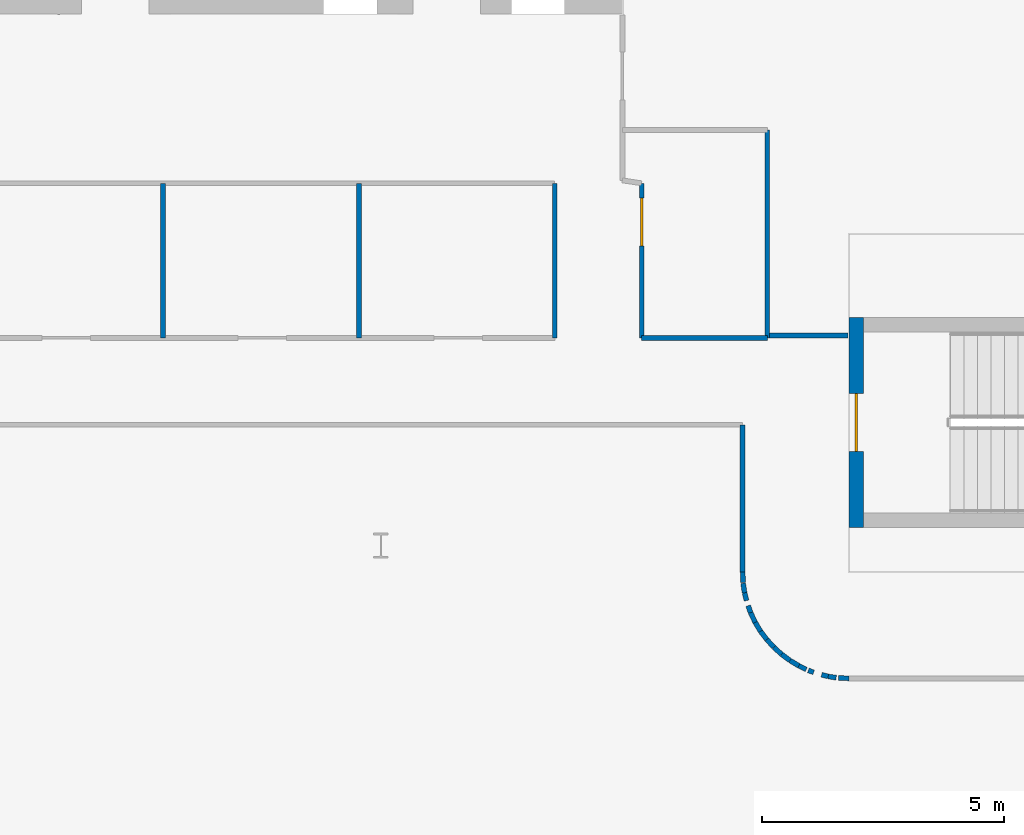
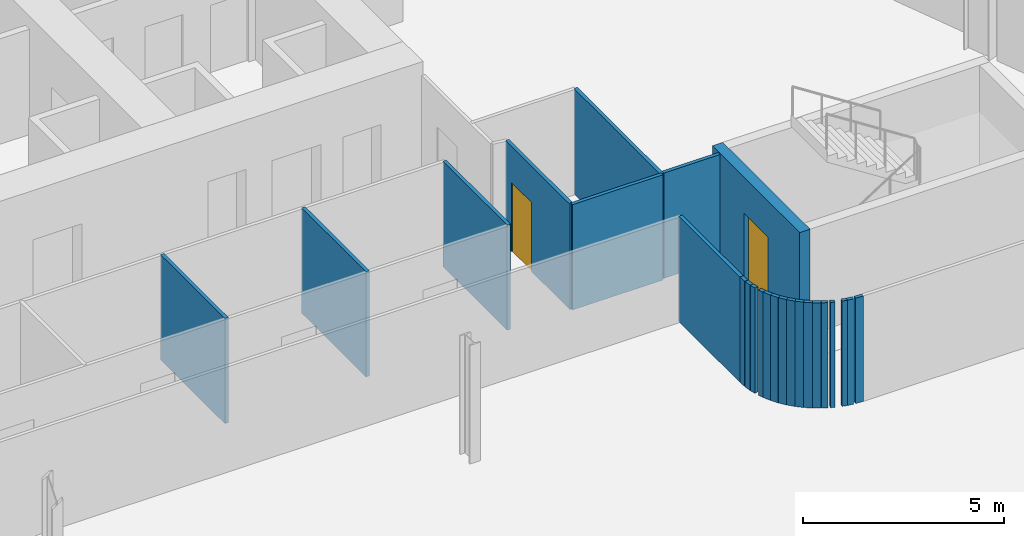
# One storey, part 19 of 31: 25 walls, 2 doors, 2 openings.
"""IFC4 building model written with IfcOpenShell, lengths in metres."""

from ifc_helpers import new_model, si_unit, direction, frame, frame_2d, origin, place, context, subcontext, project, spatial, rectangle, extrude, material, layer, layer_set, type_object, element, fill, save


model = new_model("IFC4")

# Units and contexts
model_context = context("Model", 3, precision=1e-05, world=origin(), true_north=direction((0.0, 1.0)))
body_context = subcontext(model_context, "Body", "Model", "MODEL_VIEW")
ifc_project = project(units=[si_unit("LENGTHUNIT", "METRE"), si_unit("AREAUNIT", "SQUARE_METRE"), si_unit("VOLUMEUNIT", "CUBIC_METRE"), si_unit("PLANEANGLEUNIT", "RADIAN"), si_unit("MASSUNIT", "GRAM", prefix="KILO")], contexts=[model_context])

# Site, building, storey
site_placement = place(None, origin())
site = spatial("IfcSite", under=ifc_project, at=site_placement, CompositionType="ELEMENT")
building_placement = place(site_placement, origin())
building = spatial("IfcBuilding", under=site, at=building_placement, Name="Wharfspan Tower", CompositionType="ELEMENT")
storey_placement = place(building_placement, frame((0.0, 0.0, 103.899902)))
storey = spatial("IfcBuildingStorey", under=building, at=storey_placement, Name="L23", CompositionType="ELEMENT", Elevation=103.899902)

# Walls
ifc_material_1 = material(Name="Gypsum board on steel studs", Category="steel")
ifc_layer_1 = layer(ifc_material_1, 0.100098)
ifc_layer_set_1 = layer_set([ifc_layer_1], Name="Gypsum board on steel studs")
wall_type_1 = type_object("IfcWallType", Name="Compartment wall 100 EI 60", PredefinedType="PARTITIONING", material=ifc_layer_set_1)
for number, where, z_axis, x_axis, name in (
    (1, (55.48999, 27.300049, 0.0), (0.0, 0.0, 1.0), (0.0, 1.0, 0.0), "Partition L23.w072"),
    (2, (59.544922, 27.300049, 0.0), (0.0, 0.0, 1.0), (0.0, 1.0, 0.0), "Partition L23.w074"),
    (3, (63.600098, 27.300049, 0.0), (0.0, 0.0, 1.0), (0.0, 1.0, 0.0), "Partition L23.w075"),
):
    element("IfcWall", number, at=place(storey_placement, frame(where, z_axis=z_axis, x_axis=x_axis)), inside=storey, type_object=wall_type_1, Name=name, PredefinedType="PARTITIONING", context=body_context, shape_type="SweptSolid", body=[
        extrude(rectangle(XDim=3.199951, YDim=0.100098, at=frame_2d((1.600098, 0.0))), origin(), (0.0, 0.0, 1.0), 3.200195),
    ])

# Wall, opening, door
wall_1_placement = place(storey_placement, frame((65.399902, 27.300049, 0.0), z_axis=(0.0, 0.0, 1.0), x_axis=(0.0, 1.0, 0.0)))
wall_1 = element("IfcWall", 4, at=wall_1_placement, inside=storey, type_object=wall_type_1, Name="Partition L23.w079", PredefinedType="PARTITIONING", context=body_context, shape_type="SweptSolid", body=[
    extrude(rectangle(XDim=3.199951, YDim=0.100098, at=frame_2d((1.600098, 0.0))), origin(), (0.0, 0.0, 1.0), 3.200195),
])
opening_1_placement = place(wall_1_placement, frame((1.899902, 0.0, 0.0)))
opening_1 = element("IfcOpeningElement", 5, at=opening_1_placement, cuts=wall_1, Name="Opening B2-19", PredefinedType="OPENING", context=body_context, shape_type="SweptSolid", body=[
    extrude(rectangle(XDim=1.0, YDim=2.100098, at=frame_2d((0.5, 1.050049))), frame((0.0, 0.060059, 0.0), z_axis=(0.0, -1.0, 0.0), x_axis=(1.0, 0.0, 0.0)), (0.0, 0.0, 1.0), 0.120117),
])
ifc_material_2 = material(Name="Fire-rated timber door leaf in steel frame", Category="steel")
door_type_1 = type_object("IfcDoorType", Name="Door 1000 FD30S Right", OperationType="SINGLE_SWING_RIGHT", PredefinedType="DOOR", material=ifc_material_2)
door_1_placement = place(opening_1_placement, origin())
door_1 = element("IfcDoor", 6, at=door_1_placement, inside=storey, type_object=door_type_1, Name="Door B2-19", OperationType="SINGLE_SWING_RIGHT", OverallHeight=2.100098, OverallWidth=1.0, PredefinedType="DOOR", context=body_context, shape_type="SweptSolid", body=[
    extrude(rectangle(XDim=1.0, YDim=2.100098, at=frame_2d((0.5, 1.050049))), frame((0.0, 0.024902, 0.0), z_axis=(0.0, -1.0, 0.0), x_axis=(1.0, 0.0, 0.0)), (0.0, 0.0, 1.0), 0.050049),
])
fill(opening_1, door_1)

# Walls
wall_2_placement = place(storey_placement, frame((65.399902, 27.300049, 0.0), z_axis=(0.0, 0.0, 1.0), x_axis=(1.0, 0.0, 0.0)))
element("IfcWall", 7, at=wall_2_placement, inside=storey, type_object=wall_type_1, Name="Partition L23.w080", PredefinedType="PARTITIONING", context=body_context, shape_type="SweptSolid", body=[
    extrude(rectangle(XDim=2.600098, YDim=0.100098, at=frame_2d((1.300049, 0.0))), origin(), (0.0, 0.0, 1.0), 3.200195),
])
wall_3_placement = place(storey_placement, frame((67.48999, 22.449951, 0.0), z_axis=(0.0, 0.0, 1.0), x_axis=(0.0, 1.0, 0.0)))
element("IfcWall", 8, at=wall_3_placement, inside=storey, type_object=wall_type_1, Name="Partition L23.w081", PredefinedType="PARTITIONING", context=body_context, shape_type="SweptSolid", body=[
    extrude(rectangle(XDim=3.050049, YDim=0.100098, at=frame_2d((1.524902, 0.0))), origin(), (0.0, 0.0, 1.0), 3.200195),
])
wall_4_placement = place(storey_placement, frame((67.5, 22.235107, 0.0), z_axis=(0.0, 0.0, 1.0), x_axis=(-0.04654, 0.998912, 0.0)))
element("IfcWall", 9, at=wall_4_placement, inside=storey, type_object=wall_type_1, Name="Partition L23.w082", PredefinedType="PARTITIONING", context=body_context, shape_type="SweptSolid", body=[
    extrude(rectangle(XDim=0.215088, YDim=0.100098, at=frame_2d((0.107422, 0.0))), origin(), (0.0, 0.0, 1.0), 3.200195),
])
wall_5_placement = place(storey_placement, frame((67.530029, 22.02002, 0.0), z_axis=(0.0, 0.0, 1.0), x_axis=(-0.148517, 0.988906, 0.0)))
element("IfcWall", 10, at=wall_5_placement, inside=storey, type_object=wall_type_1, Name="Partition L23.w083", PredefinedType="PARTITIONING", context=body_context, shape_type="SweptSolid", body=[
    extrude(rectangle(XDim=0.202148, YDim=0.100098, at=frame_2d((0.101074, 0.0))), origin(), (0.0, 0.0, 1.0), 3.200195),
])
wall_6_placement = place(storey_placement, frame((67.570068, 21.860107, 0.0), z_axis=(0.0, 0.0, 1.0), x_axis=(-0.242884, 0.970055, 0.0)))
element("IfcWall", 11, at=wall_6_placement, inside=storey, type_object=wall_type_1, Name="Partition L23.w084", PredefinedType="PARTITIONING", context=body_context, shape_type="SweptSolid", body=[
    extrude(rectangle(XDim=0.164795, YDim=0.100098, at=frame_2d((0.08252, 0.0))), origin(), (0.0, 0.0, 1.0), 3.200195),
])
wall_7_placement = place(storey_placement, frame((67.655029, 21.610107, 0.0), z_axis=(0.0, 0.0, 1.0), x_axis=(-0.326726, 0.945115, 0.0)))
element("IfcWall", 12, at=wall_7_placement, inside=storey, type_object=wall_type_1, Name="Partition L23.w085", PredefinedType="PARTITIONING", context=body_context, shape_type="SweptSolid", body=[
    extrude(rectangle(XDim=0.153076, YDim=0.100098, at=frame_2d((0.07666, 0.0))), origin(), (0.0, 0.0, 1.0), 3.200195),
])
wall_8_placement = place(storey_placement, frame((67.75, 21.409912, 0.0), z_axis=(0.0, 0.0, 1.0), x_axis=(-0.428606, 0.903488, 0.0)))
element("IfcWall", 13, at=wall_8_placement, inside=storey, type_object=wall_type_1, Name="Partition L23.w086", PredefinedType="PARTITIONING", context=body_context, shape_type="SweptSolid", body=[
    extrude(rectangle(XDim=0.22168, YDim=0.100098, at=frame_2d((0.11084, 0.0))), origin(), (0.0, 0.0, 1.0), 3.200195),
])
wall_9_placement = place(storey_placement, frame((67.860107, 21.225098, 0.0), z_axis=(0.0, 0.0, 1.0), x_axis=(-0.511823, 0.859091, 0.0)))
element("IfcWall", 14, at=wall_9_placement, inside=storey, type_object=wall_type_1, Name="Partition L23.w087", PredefinedType="PARTITIONING", context=body_context, shape_type="SweptSolid", body=[
    extrude(rectangle(XDim=0.215088, YDim=0.100098, at=frame_2d((0.107422, 0.0))), origin(), (0.0, 0.0, 1.0), 3.200195),
])
wall_10_placement = place(storey_placement, frame((67.98999, 21.054932, 0.0), z_axis=(0.0, 0.0, 1.0), x_axis=(-0.606728, 0.794905, 0.0)))
element("IfcWall", 15, at=wall_10_placement, inside=storey, type_object=wall_type_1, Name="Partition L23.w088", PredefinedType="PARTITIONING", context=body_context, shape_type="SweptSolid", body=[
    extrude(rectangle(XDim=0.214111, YDim=0.100098, at=frame_2d((0.106934, 0.0))), origin(), (0.0, 0.0, 1.0), 3.200195),
])
wall_11_placement = place(storey_placement, frame((68.0, 27.300049, 0.0), z_axis=(0.0, 0.0, 1.0), x_axis=(0.0, 1.0, 0.0)))
element("IfcWall", 16, at=wall_11_placement, inside=storey, type_object=wall_type_1, Name="Partition L23.w089", PredefinedType="PARTITIONING", context=body_context, shape_type="SweptSolid", body=[
    extrude(rectangle(XDim=4.300049, YDim=0.100098, at=frame_2d((2.149902, 0.0))), origin(), (0.0, 0.0, 1.0), 3.200195),
])
wall_12_placement = place(storey_placement, frame((68.050049, 27.350098, 0.0), z_axis=(0.0, 0.0, 1.0), x_axis=(1.0, 0.0, 0.0)))
element("IfcWall", 17, at=wall_12_placement, inside=storey, type_object=wall_type_1, Name="Partition L23.w091", PredefinedType="PARTITIONING", context=body_context, shape_type="SweptSolid", body=[
    extrude(rectangle(XDim=1.620361, YDim=0.100098, at=frame_2d((0.810059, 0.0))), origin(), (0.0, 0.0, 1.0), 3.200195),
])
for number, where, z_axis, x_axis, name in (
    (18, (68.13501, 20.89502, 0.0), (0.0, 0.0, 1.0), (-0.671775, 0.740762, 0.0), "Partition L23.w092"),
    (19, (68.294922, 20.75, 0.0), (0.0, 0.0, 1.0), (-0.740762, 0.671775, 0.0), "Partition L23.w093"),
):
    element("IfcWall", number, at=place(storey_placement, frame(where, z_axis=z_axis, x_axis=x_axis)), inside=storey, type_object=wall_type_1, Name=name, PredefinedType="PARTITIONING", context=body_context, shape_type="SweptSolid", body=[
        extrude(rectangle(XDim=0.21582, YDim=0.100098, at=frame_2d((0.10791, 0.0))), origin(), (0.0, 0.0, 1.0), 3.200195),
    ])
wall_13_placement = place(storey_placement, frame((68.469971, 20.620117, 0.0), z_axis=(0.0, 0.0, 1.0), x_axis=(-0.803079, 0.595869, 0.0)))
element("IfcWall", 20, at=wall_13_placement, inside=storey, type_object=wall_type_1, Name="Partition L23.w094", PredefinedType="PARTITIONING", context=body_context, shape_type="SweptSolid", body=[
    extrude(rectangle(XDim=0.218018, YDim=0.100098, at=frame_2d((0.108887, 0.0))), origin(), (0.0, 0.0, 1.0), 3.200195),
])
wall_14_placement = place(storey_placement, frame((68.655029, 20.51001, 0.0), z_axis=(0.0, 0.0, 1.0), x_axis=(-0.859387, 0.511324, 0.0)))
element("IfcWall", 21, at=wall_14_placement, inside=storey, type_object=wall_type_1, Name="Partition L23.w095", PredefinedType="PARTITIONING", context=body_context, shape_type="SweptSolid", body=[
    extrude(rectangle(XDim=0.215332, YDim=0.100098, at=frame_2d((0.107666, 0.0))), origin(), (0.0, 0.0, 1.0), 3.200195),
])
wall_15_placement = place(storey_placement, frame((68.804932, 20.435059, 0.0), z_axis=(0.0, 0.0, 1.0), x_axis=(-0.894428, 0.447214, 0.0)))
element("IfcWall", 22, at=wall_15_placement, inside=storey, type_object=wall_type_1, Name="Partition L23.w096", PredefinedType="PARTITIONING", context=body_context, shape_type="SweptSolid", body=[
    extrude(rectangle(XDim=0.16748, YDim=0.100098, at=frame_2d((0.08374, 0.0))), origin(), (0.0, 0.0, 1.0), 3.200195),
])
wall_16_placement = place(storey_placement, frame((68.959961, 20.375, 0.0), z_axis=(0.0, 0.0, 1.0), x_axis=(-0.939545, 0.342412, 0.0)))
element("IfcWall", 23, at=wall_16_placement, inside=storey, type_object=wall_type_1, Name="Partition L23.w097", PredefinedType="PARTITIONING", context=body_context, shape_type="SweptSolid", body=[
    extrude(rectangle(XDim=0.116943, YDim=0.100098, at=frame_2d((0.058594, 0.0))), origin(), (0.0, 0.0, 1.0), 3.200195),
])
wall_17_placement = place(storey_placement, frame((69.26001, 20.290039, 0.0), z_axis=(0.0, 0.0, 1.0), x_axis=(-0.968156, 0.250355, 0.0)))
element("IfcWall", 24, at=wall_17_placement, inside=storey, type_object=wall_type_1, Name="Partition L23.w098", PredefinedType="PARTITIONING", context=body_context, shape_type="SweptSolid", body=[
    extrude(rectangle(XDim=0.139404, YDim=0.100098, at=frame_2d((0.069824, 0.0))), origin(), (0.0, 0.0, 1.0), 3.200195),
])
wall_18_placement = place(storey_placement, frame((69.425049, 20.264893, 0.0), z_axis=(0.0, 0.0, 1.0), x_axis=(-0.988594, 0.150629, 0.0)))
element("IfcWall", 25, at=wall_18_placement, inside=storey, type_object=wall_type_1, Name="Partition L23.w099", PredefinedType="PARTITIONING", context=body_context, shape_type="SweptSolid", body=[
    extrude(rectangle(XDim=0.166992, YDim=0.100098, at=frame_2d((0.083496, 0.0))), origin(), (0.0, 0.0, 1.0), 3.200195),
])
wall_19_placement = place(storey_placement, frame((69.689941, 20.25, 0.0), z_axis=(0.0, 0.0, 1.0), x_axis=(-0.998912, 0.04654, 0.0)))
element("IfcWall", 26, at=wall_19_placement, inside=storey, type_object=wall_type_1, Name="Partition L23.w101", PredefinedType="PARTITIONING", context=body_context, shape_type="SweptSolid", body=[
    extrude(rectangle(XDim=0.215088, YDim=0.100098, at=frame_2d((0.107422, 0.0))), origin(), (0.0, 0.0, 1.0), 3.200195),
])

# Wall, opening, door
ifc_material_3 = material(Name="Concrete C40/50", Category="concrete")
ifc_layer_2 = layer(ifc_material_3, 0.300049)
ifc_layer_set_2 = layer_set([ifc_layer_2], Name="Concrete C40/50")
wall_type_2 = type_object("IfcWallType", Name="Stair core wall 300", PredefinedType="SHEAR", material=ifc_layer_set_2)
wall_20_placement = place(storey_placement, frame((69.840332, 23.375, 0.0), z_axis=(0.0, 0.0, 1.0), x_axis=(0.0, 1.0, 0.0)))
wall_20 = element("IfcWall", 27, at=wall_20_placement, inside=storey, type_object=wall_type_2, Name="ST6 stair enclosure wall L23", PredefinedType="SHEAR", context=body_context, shape_type="SweptSolid", body=[
    extrude(rectangle(XDim=4.350098, YDim=0.300049, at=frame_2d((2.175049, 0.0))), origin(), (0.0, 0.0, 1.0), 3.200195),
])
opening_2_placement = place(wall_20_placement, frame((1.574951, 0.0, 0.0)))
opening_2 = element("IfcOpeningElement", 28, at=opening_2_placement, cuts=wall_20, Name="Opening SD6.L23", PredefinedType="OPENING", context=body_context, shape_type="SweptSolid", body=[
    extrude(rectangle(XDim=1.199951, YDim=2.100098, at=frame_2d((0.600098, 1.050049))), frame((0.0, 0.159912, 0.0), z_axis=(0.0, -1.0, 0.0), x_axis=(1.0, 0.0, 0.0)), (0.0, 0.0, 1.0), 0.320068),
])
ifc_material_4 = material(Name="Steel door leaf", Category="steel")
door_type_2 = type_object("IfcDoorType", Name="Stair door 1200x2100", OperationType="SINGLE_SWING_LEFT", PredefinedType="DOOR", material=ifc_material_4)
door_2_placement = place(opening_2_placement, origin())
door_2 = element("IfcDoor", 29, at=door_2_placement, inside=storey, type_object=door_type_2, Name="sd:L23:ST6z2", OperationType="SINGLE_SWING_RIGHT", OverallHeight=2.100098, OverallWidth=1.199951, PredefinedType="DOOR", context=body_context, shape_type="SweptSolid", body=[
    extrude(rectangle(XDim=1.199951, YDim=2.100098, at=frame_2d((0.600098, 1.050049))), frame((0.0, 0.024902, 0.0), z_axis=(0.0, -1.0, 0.0), x_axis=(1.0, 0.0, 0.0)), (0.0, 0.0, 1.0), 0.050049),
])
fill(opening_2, door_2)

save(model, "model.ifc")
